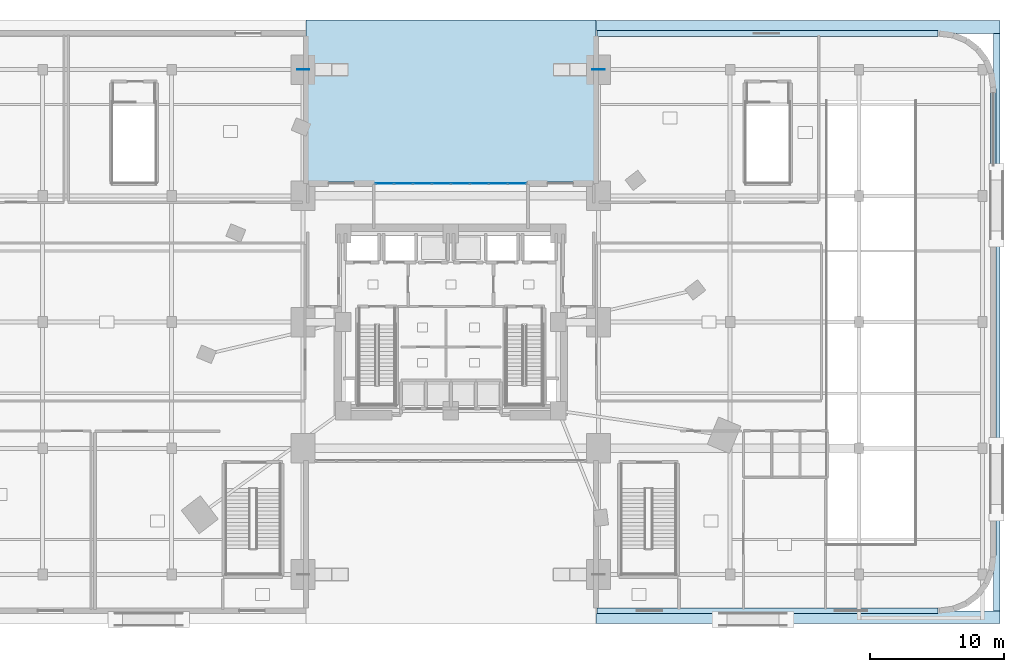
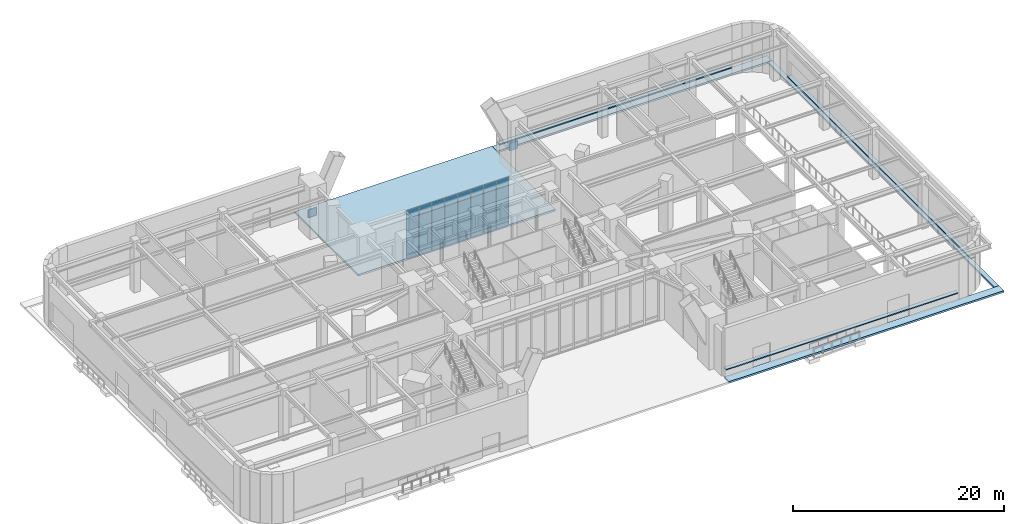
# One storey, part 16 of 27: 29 plates, 4 slabs, 1 element without a shape of its own.
"""IFC4 building model written with IfcOpenShell, lengths in metres."""

from ifc_helpers import new_model, si_unit, direction, frame, origin, origin_2d, place, context, subcontext, project, spatial, polyline, rectangle, outline, extrude, material, layer, layer_set, type_object, element, aggregate, save


model = new_model("IFC4")

# Units and contexts
model_context = context("Model", 3, precision=1e-05, world=origin(), true_north=direction((0.0, 1.0)))
body_context = subcontext(model_context, "Body", "Model", "MODEL_VIEW")
ifc_project = project(units=[si_unit("LENGTHUNIT", "METRE"), si_unit("AREAUNIT", "SQUARE_METRE"), si_unit("VOLUMEUNIT", "CUBIC_METRE"), si_unit("PLANEANGLEUNIT", "RADIAN"), si_unit("MASSUNIT", "GRAM", prefix="KILO")], contexts=[model_context])

# Site, building, storey
site_placement = place(None, origin())
site = spatial("IfcSite", under=ifc_project, at=site_placement, CompositionType="ELEMENT")
building_placement = place(site_placement, origin())
building = spatial("IfcBuilding", under=site, at=building_placement, Name="Ndelora Gate Hotel", CompositionType="ELEMENT")
storey_placement = place(building_placement, origin())
storey = spatial("IfcBuildingStorey", under=building, at=storey_placement, Name="L00", CompositionType="ELEMENT", Elevation=0.0)

# Curtain wall, plates
ifc_material_1 = material(Name="Bronze Anodised Unitised Aluminium and Low-E Glass", Category="aluminium")
ifc_layer_1 = layer(ifc_material_1, 0.239990234375)
ifc_layer_set_1 = layer_set([ifc_layer_1], Name="Bronze Anodised Unitised Aluminium and Low-E Glass")
curtain_wall_type = type_object("IfcCurtainWallType", Name="CW-SYS-1", PredefinedType="NOTDEFINED", material=ifc_layer_set_1)
curtain_wall_placement = place(storey_placement, origin())
curtain_wall = element("IfcCurtainWall", 1, at=curtain_wall_placement, inside=storey, type_object=curtain_wall_type, Name="L00 North Portal Arch Concourse Curtain Wall CW1", PredefinedType="NOTDEFINED")
ifc_material_2 = material(Name="Solar-Control Low-E Insulated Glazing", Category="glass")
ifc_layer_2 = layer(ifc_material_2, 0.048095703125)
ifc_layer_set_2 = layer_set([ifc_layer_2], Name="Solar-Control Low-E Insulated Glazing")
plate_type_1 = type_object("IfcPlateType", Name="PL-CW-GLZ36", PredefinedType="CURTAIN_PANEL", material=ifc_layer_set_2)
plate_1_placement = place(storey_placement, frame((4.92626953125, 10.320068359375, 0.05908203125), z_axis=(0.0, 0.0, 1.0), x_axis=(-1.0, 0.0, 0.0)))
plate_1 = element("IfcPlate", 2, at=plate_1_placement, type_object=plate_type_1, Name="CW1 panel 1.1", PredefinedType="CURTAIN_PANEL", context=body_context, shape_type="SweptSolid", body=[
    extrude(rectangle(XDim=1.319580078125, YDim=0.048095703125, at=origin_2d()), origin(), (0.0, 0.0, 1.0), 0.464599609375),
])
plate_2_placement = place(storey_placement, frame((4.92626953125, 10.320068359375, 0.57666015625), z_axis=(0.0, 0.0, 1.0), x_axis=(-1.0, 0.0, 0.0)))
plate_2 = element("IfcPlate", 3, at=plate_2_placement, type_object=plate_type_1, Name="CW1 panel 1.2", PredefinedType="CURTAIN_PANEL", context=body_context, shape_type="SweptSolid", body=[
    extrude(rectangle(XDim=1.319580078125, YDim=0.048095703125, at=origin_2d()), origin(), (0.0, 0.0, 1.0), 4.56689453125),
])
plate_3_placement = place(storey_placement, frame((4.92626953125, 10.320068359375, 5.1962890625), z_axis=(0.0, 0.0, 1.0), x_axis=(-1.0, 0.0, 0.0)))
plate_3 = element("IfcPlate", 4, at=plate_3_placement, type_object=plate_type_1, Name="CW1 panel 1.3", PredefinedType="CURTAIN_PANEL", context=body_context, shape_type="SweptSolid", body=[
    extrude(rectangle(XDim=1.319580078125, YDim=0.048095703125, at=origin_2d()), origin(), (0.0, 0.0, 1.0), 0.464599609375),
])
plate_4_placement = place(storey_placement, frame((3.53125, 10.320068359375, 0.05908203125), z_axis=(0.0, 0.0, 1.0), x_axis=(-1.0, 0.0, 0.0)))
plate_4 = element("IfcPlate", 5, at=plate_4_placement, type_object=plate_type_1, Name="CW1 panel 2.1", PredefinedType="CURTAIN_PANEL", context=body_context, shape_type="SweptSolid", body=[
    extrude(rectangle(XDim=1.3544921875, YDim=0.048095703125, at=origin_2d()), origin(), (0.0, 0.0, 1.0), 0.464599609375),
])
plate_5_placement = place(storey_placement, frame((3.53125, 10.320068359375, 0.57666015625), z_axis=(0.0, 0.0, 1.0), x_axis=(-1.0, 0.0, 0.0)))
plate_5 = element("IfcPlate", 6, at=plate_5_placement, type_object=plate_type_1, Name="CW1 panel 2.2", PredefinedType="CURTAIN_PANEL", context=body_context, shape_type="SweptSolid", body=[
    extrude(rectangle(XDim=1.3544921875, YDim=0.048095703125, at=origin_2d()), origin(), (0.0, 0.0, 1.0), 4.56689453125),
])
plate_6_placement = place(storey_placement, frame((3.53125, 10.320068359375, 5.1962890625), z_axis=(0.0, 0.0, 1.0), x_axis=(-1.0, 0.0, 0.0)))
plate_6 = element("IfcPlate", 7, at=plate_6_placement, type_object=plate_type_1, Name="CW1 panel 2.3", PredefinedType="CURTAIN_PANEL", context=body_context, shape_type="SweptSolid", body=[
    extrude(rectangle(XDim=1.3544921875, YDim=0.048095703125, at=origin_2d()), origin(), (0.0, 0.0, 1.0), 0.464599609375),
])
plate_7_placement = place(storey_placement, frame((2.11865234375, 10.320068359375, 0.05908203125), z_axis=(0.0, 0.0, 1.0), x_axis=(-1.0, 0.0, 0.0)))
plate_7 = element("IfcPlate", 8, at=plate_7_placement, type_object=plate_type_1, Name="CW1 panel 3.1", PredefinedType="CURTAIN_PANEL", context=body_context, shape_type="SweptSolid", body=[
    extrude(rectangle(XDim=1.3544921875, YDim=0.048095703125, at=origin_2d()), origin(), (0.0, 0.0, 1.0), 0.464599609375),
])
plate_8_placement = place(storey_placement, frame((2.11865234375, 10.320068359375, 0.57666015625), z_axis=(0.0, 0.0, 1.0), x_axis=(-1.0, 0.0, 0.0)))
plate_8 = element("IfcPlate", 9, at=plate_8_placement, type_object=plate_type_1, Name="CW1 panel 3.2", PredefinedType="CURTAIN_PANEL", context=body_context, shape_type="SweptSolid", body=[
    extrude(rectangle(XDim=1.3544921875, YDim=0.048095703125, at=origin_2d()), origin(), (0.0, 0.0, 1.0), 4.56689453125),
])
plate_9_placement = place(storey_placement, frame((2.11865234375, 10.320068359375, 5.1962890625), z_axis=(0.0, 0.0, 1.0), x_axis=(-1.0, 0.0, 0.0)))
plate_9 = element("IfcPlate", 10, at=plate_9_placement, type_object=plate_type_1, Name="CW1 panel 3.3", PredefinedType="CURTAIN_PANEL", context=body_context, shape_type="SweptSolid", body=[
    extrude(rectangle(XDim=1.3544921875, YDim=0.048095703125, at=origin_2d()), origin(), (0.0, 0.0, 1.0), 0.464599609375),
])
plate_10_placement = place(storey_placement, frame((0.706298828125, 10.320068359375, 0.05908203125), z_axis=(0.0, 0.0, 1.0), x_axis=(-1.0, 0.0, 0.0)))
plate_10 = element("IfcPlate", 11, at=plate_10_placement, type_object=plate_type_1, Name="CW1 panel 4.1", PredefinedType="CURTAIN_PANEL", context=body_context, shape_type="SweptSolid", body=[
    extrude(rectangle(XDim=1.3544921875, YDim=0.048095703125, at=origin_2d()), origin(), (0.0, 0.0, 1.0), 0.464599609375),
])
plate_11_placement = place(storey_placement, frame((0.706298828125, 10.320068359375, 0.57666015625), z_axis=(0.0, 0.0, 1.0), x_axis=(-1.0, 0.0, 0.0)))
plate_11 = element("IfcPlate", 12, at=plate_11_placement, type_object=plate_type_1, Name="CW1 panel 4.2", PredefinedType="CURTAIN_PANEL", context=body_context, shape_type="SweptSolid", body=[
    extrude(rectangle(XDim=1.3544921875, YDim=0.048095703125, at=origin_2d()), origin(), (0.0, 0.0, 1.0), 4.56689453125),
])
plate_12_placement = place(storey_placement, frame((0.706298828125, 10.320068359375, 5.1962890625), z_axis=(0.0, 0.0, 1.0), x_axis=(-1.0, 0.0, 0.0)))
plate_12 = element("IfcPlate", 13, at=plate_12_placement, type_object=plate_type_1, Name="CW1 panel 4.3", PredefinedType="CURTAIN_PANEL", context=body_context, shape_type="SweptSolid", body=[
    extrude(rectangle(XDim=1.3544921875, YDim=0.048095703125, at=origin_2d()), origin(), (0.0, 0.0, 1.0), 0.464599609375),
])
plate_13_placement = place(storey_placement, frame((-0.706298828125, 10.320068359375, 0.05908203125), z_axis=(0.0, 0.0, 1.0), x_axis=(-1.0, 0.0, 0.0)))
plate_13 = element("IfcPlate", 14, at=plate_13_placement, type_object=plate_type_1, Name="CW1 panel 5.1", PredefinedType="CURTAIN_PANEL", context=body_context, shape_type="SweptSolid", body=[
    extrude(rectangle(XDim=1.3544921875, YDim=0.048095703125, at=origin_2d()), origin(), (0.0, 0.0, 1.0), 0.464599609375),
])
plate_14_placement = place(storey_placement, frame((-0.706298828125, 10.320068359375, 0.57666015625), z_axis=(0.0, 0.0, 1.0), x_axis=(-1.0, 0.0, 0.0)))
plate_14 = element("IfcPlate", 15, at=plate_14_placement, type_object=plate_type_1, Name="CW1 panel 5.2", PredefinedType="CURTAIN_PANEL", context=body_context, shape_type="SweptSolid", body=[
    extrude(rectangle(XDim=1.3544921875, YDim=0.048095703125, at=origin_2d()), origin(), (0.0, 0.0, 1.0), 4.56689453125),
])
plate_15_placement = place(storey_placement, frame((-0.706298828125, 10.320068359375, 5.1962890625), z_axis=(0.0, 0.0, 1.0), x_axis=(-1.0, 0.0, 0.0)))
plate_15 = element("IfcPlate", 16, at=plate_15_placement, type_object=plate_type_1, Name="CW1 panel 5.3", PredefinedType="CURTAIN_PANEL", context=body_context, shape_type="SweptSolid", body=[
    extrude(rectangle(XDim=1.3544921875, YDim=0.048095703125, at=origin_2d()), origin(), (0.0, 0.0, 1.0), 0.464599609375),
])
plate_16_placement = place(storey_placement, frame((-2.11865234375, 10.320068359375, 0.05908203125), z_axis=(0.0, 0.0, 1.0), x_axis=(-1.0, 0.0, 0.0)))
plate_16 = element("IfcPlate", 17, at=plate_16_placement, type_object=plate_type_1, Name="CW1 panel 6.1", PredefinedType="CURTAIN_PANEL", context=body_context, shape_type="SweptSolid", body=[
    extrude(rectangle(XDim=1.3544921875, YDim=0.048095703125, at=origin_2d()), origin(), (0.0, 0.0, 1.0), 0.464599609375),
])
plate_17_placement = place(storey_placement, frame((-2.11865234375, 10.320068359375, 0.57666015625), z_axis=(0.0, 0.0, 1.0), x_axis=(-1.0, 0.0, 0.0)))
plate_17 = element("IfcPlate", 18, at=plate_17_placement, type_object=plate_type_1, Name="CW1 panel 6.2", PredefinedType="CURTAIN_PANEL", context=body_context, shape_type="SweptSolid", body=[
    extrude(rectangle(XDim=1.3544921875, YDim=0.048095703125, at=origin_2d()), origin(), (0.0, 0.0, 1.0), 4.56689453125),
])
plate_18_placement = place(storey_placement, frame((-2.11865234375, 10.320068359375, 5.1962890625), z_axis=(0.0, 0.0, 1.0), x_axis=(-1.0, 0.0, 0.0)))
plate_18 = element("IfcPlate", 19, at=plate_18_placement, type_object=plate_type_1, Name="CW1 panel 6.3", PredefinedType="CURTAIN_PANEL", context=body_context, shape_type="SweptSolid", body=[
    extrude(rectangle(XDim=1.3544921875, YDim=0.048095703125, at=origin_2d()), origin(), (0.0, 0.0, 1.0), 0.464599609375),
])
plate_19_placement = place(storey_placement, frame((-3.53125, 10.320068359375, 0.05908203125), z_axis=(0.0, 0.0, 1.0), x_axis=(-1.0, 0.0, 0.0)))
plate_19 = element("IfcPlate", 20, at=plate_19_placement, type_object=plate_type_1, Name="CW1 panel 7.1", PredefinedType="CURTAIN_PANEL", context=body_context, shape_type="SweptSolid", body=[
    extrude(rectangle(XDim=1.3544921875, YDim=0.048095703125, at=origin_2d()), origin(), (0.0, 0.0, 1.0), 0.464599609375),
])
plate_20_placement = place(storey_placement, frame((-3.53125, 10.320068359375, 0.57666015625), z_axis=(0.0, 0.0, 1.0), x_axis=(-1.0, 0.0, 0.0)))
plate_20 = element("IfcPlate", 21, at=plate_20_placement, type_object=plate_type_1, Name="CW1 panel 7.2", PredefinedType="CURTAIN_PANEL", context=body_context, shape_type="SweptSolid", body=[
    extrude(rectangle(XDim=1.3544921875, YDim=0.048095703125, at=origin_2d()), origin(), (0.0, 0.0, 1.0), 4.56689453125),
])
plate_21_placement = place(storey_placement, frame((-3.53125, 10.320068359375, 5.1962890625), z_axis=(0.0, 0.0, 1.0), x_axis=(-1.0, 0.0, 0.0)))
plate_21 = element("IfcPlate", 22, at=plate_21_placement, type_object=plate_type_1, Name="CW1 panel 7.3", PredefinedType="CURTAIN_PANEL", context=body_context, shape_type="SweptSolid", body=[
    extrude(rectangle(XDim=1.3544921875, YDim=0.048095703125, at=origin_2d()), origin(), (0.0, 0.0, 1.0), 0.464599609375),
])
plate_22_placement = place(storey_placement, frame((-4.92626953125, 10.320068359375, 0.05908203125), z_axis=(0.0, 0.0, 1.0), x_axis=(-1.0, 0.0, 0.0)))
plate_22 = element("IfcPlate", 23, at=plate_22_placement, type_object=plate_type_1, Name="CW1 panel 8.1", PredefinedType="CURTAIN_PANEL", context=body_context, shape_type="SweptSolid", body=[
    extrude(rectangle(XDim=1.319580078125, YDim=0.048095703125, at=origin_2d()), origin(), (0.0, 0.0, 1.0), 0.464599609375),
])
plate_23_placement = place(storey_placement, frame((-4.92626953125, 10.320068359375, 0.57666015625), z_axis=(0.0, 0.0, 1.0), x_axis=(-1.0, 0.0, 0.0)))
plate_23 = element("IfcPlate", 24, at=plate_23_placement, type_object=plate_type_1, Name="CW1 panel 8.2", PredefinedType="CURTAIN_PANEL", context=body_context, shape_type="SweptSolid", body=[
    extrude(rectangle(XDim=1.319580078125, YDim=0.048095703125, at=origin_2d()), origin(), (0.0, 0.0, 1.0), 4.56689453125),
])
plate_24_placement = place(storey_placement, frame((-4.92626953125, 10.320068359375, 5.1962890625), z_axis=(0.0, 0.0, 1.0), x_axis=(-1.0, 0.0, 0.0)))
plate_24 = element("IfcPlate", 25, at=plate_24_placement, type_object=plate_type_1, Name="CW1 panel 8.3", PredefinedType="CURTAIN_PANEL", context=body_context, shape_type="SweptSolid", body=[
    extrude(rectangle(XDim=1.319580078125, YDim=0.048095703125, at=origin_2d()), origin(), (0.0, 0.0, 1.0), 0.464599609375),
])
aggregate(curtain_wall, [plate_1, plate_2, plate_3, plate_4, plate_5, plate_6, plate_7, plate_8, plate_9, plate_10, plate_11, plate_12, plate_13, plate_14, plate_15, plate_16, plate_17, plate_18, plate_19, plate_20, plate_21, plate_22, plate_23, plate_24])

# Plates
ifc_material_3 = material(Name="Steel S460", Category="steel")
ifc_layer_3 = layer(ifc_material_3, 0.0400390625)
ifc_layer_set_3 = layer_set([ifc_layer_3], Name="Steel S460")
plate_type_2 = type_object("IfcPlateType", Name="PL-NODE-AN1", PredefinedType="USERDEFINED", material=ifc_layer_set_3)
for number, where, z_axis, x_axis, name in (
    (26, (-11.0, 18.800048828125, 1.75), (0.0, 0.0, 1.0), (1.0, 0.0, 0.0), "Node gusset cap plate AN1"),
    (27, (11.0, 18.800048828125, 1.75), (0.0, 0.0, 1.0), (1.0, 0.0, 0.0), "Node gusset cap plate AN1"),
):
    element("IfcPlate", number, at=place(storey_placement, frame(where, z_axis=z_axis, x_axis=x_axis)), inside=storey, type_object=plate_type_2, Name=name, ObjectType="GUSSET_PLATE", PredefinedType="USERDEFINED", context=body_context, shape_type="SweptSolid", body=[
        extrude(rectangle(XDim=0.89990234375, YDim=0.0400390625, at=origin_2d()), origin(), (0.0, 0.0, 1.0), 0.89990234375),
    ])
ifc_material_4 = material(Name="Precast concrete C40/50", Category="concrete")
ifc_layer_4 = layer(ifc_material_4, 0.125)
ifc_layer_set_4 = layer_set([ifc_layer_4], Name="Precast concrete C40/50")
plate_type_3 = type_object("IfcPlateType", Name="PL-SILL-120", PredefinedType="USERDEFINED", material=ifc_layer_set_4)
plate_25_placement = place(storey_placement, frame((40.39990234375, 0.0, 0.8173828125), z_axis=(0.0, 0.0, 1.0), x_axis=(0.0, 1.0, 0.0)))
element("IfcPlate", 28, at=plate_25_placement, inside=storey, type_object=plate_type_3, Name="L00 Precast Concrete Ribbon Sill Band 7", ObjectType="RIBBON_SILL", PredefinedType="USERDEFINED", context=body_context, shape_type="SweptSolid", body=[
    extrude(rectangle(XDim=34.800048828125, YDim=0.43994140625, at=origin_2d()), origin(), (0.0, 0.0, 1.0), 0.125),
])
for number, where, z_axis, x_axis, name in (
    (29, (23.60009765625, 21.5, 0.8173828125), (0.0, 0.0, 1.0), (1.0, 0.0, 0.0), "L00 Precast Concrete Ribbon Sill Band 15"),
    (30, (23.60009765625, -21.5, 0.8173828125), (0.0, 0.0, 1.0), (1.0, 0.0, 0.0), "L00 Precast Concrete Ribbon Sill Band 30"),
):
    element("IfcPlate", number, at=place(storey_placement, frame(where, z_axis=z_axis, x_axis=x_axis)), inside=storey, type_object=plate_type_3, Name=name, ObjectType="RIBBON_SILL", PredefinedType="USERDEFINED", context=body_context, shape_type="SweptSolid", body=[
        extrude(rectangle(XDim=25.39990234375, YDim=0.43994140625, at=origin_2d()), origin(), (0.0, 0.0, 1.0), 0.125),
    ])

# Slabs
ifc_layer_5 = layer(ifc_material_4, 0.2099609375)
ifc_layer_set_5 = layer_set([ifc_layer_5], Name="Precast concrete C40/50")
slab_type = type_object("IfcSlabType", Name="SL-PAV-210", PredefinedType="USERDEFINED", material=ifc_layer_set_5)
slab_1_placement = place(storey_placement, frame((0.0, 0.0, -0.2099609375)))
element("IfcSlab", 31, at=slab_1_placement, inside=storey, type_object=slab_type, Name="L00 North Portal Arch Concourse Paving", ObjectType="PAVING", PredefinedType="USERDEFINED", context=body_context, shape_type="SweptSolid", body=[
    extrude(outline(polyline([(-10.800048828125, 10.449951171875), (10.800048828125, 10.449951171875), (10.800048828125, 22.5), (-10.800048828125, 22.5), (-10.800048828125, 10.449951171875)])), origin(), (0.0, 0.0, 1.0), 0.2099609375),
])
slab_2_placement = place(storey_placement, frame((0.0, 0.0, -0.2099609375)))
element("IfcSlab", 32, at=slab_2_placement, inside=storey, type_object=slab_type, Name="L00 Exterior Street Apron Paving SE", ObjectType="PAVING", PredefinedType="USERDEFINED", context=body_context, shape_type="SweptSolid", body=[
    extrude(outline(polyline([(10.800048828125, -22.449951171875), (40.89990234375, -22.449951171875), (40.89990234375, -21.5), (10.800048828125, -21.5), (10.800048828125, -22.449951171875)])), origin(), (0.0, 0.0, 1.0), 0.2099609375),
])
slab_3_placement = place(storey_placement, frame((0.0, 0.0, -0.2099609375)))
element("IfcSlab", 33, at=slab_3_placement, inside=storey, type_object=slab_type, Name="L00 Exterior Street Apron Paving NE", ObjectType="PAVING", PredefinedType="USERDEFINED", context=body_context, shape_type="SweptSolid", body=[
    extrude(outline(polyline([(10.800048828125, 21.5), (40.89990234375, 21.5), (40.89990234375, 22.449951171875), (10.800048828125, 22.449951171875), (10.800048828125, 21.5)])), origin(), (0.0, 0.0, 1.0), 0.2099609375),
])
slab_4_placement = place(storey_placement, frame((0.0, 0.0, -0.2099609375)))
element("IfcSlab", 34, at=slab_4_placement, inside=storey, type_object=slab_type, Name="L00 Exterior Street Apron Paving E", ObjectType="PAVING", PredefinedType="USERDEFINED", context=body_context, shape_type="SweptSolid", body=[
    extrude(outline(polyline([(40.39990234375, -21.5), (40.89990234375, -21.5), (40.89990234375, 21.5), (40.39990234375, 21.5), (40.39990234375, -21.5)])), origin(), (0.0, 0.0, 1.0), 0.2099609375),
])

save(model, "model.ifc")
